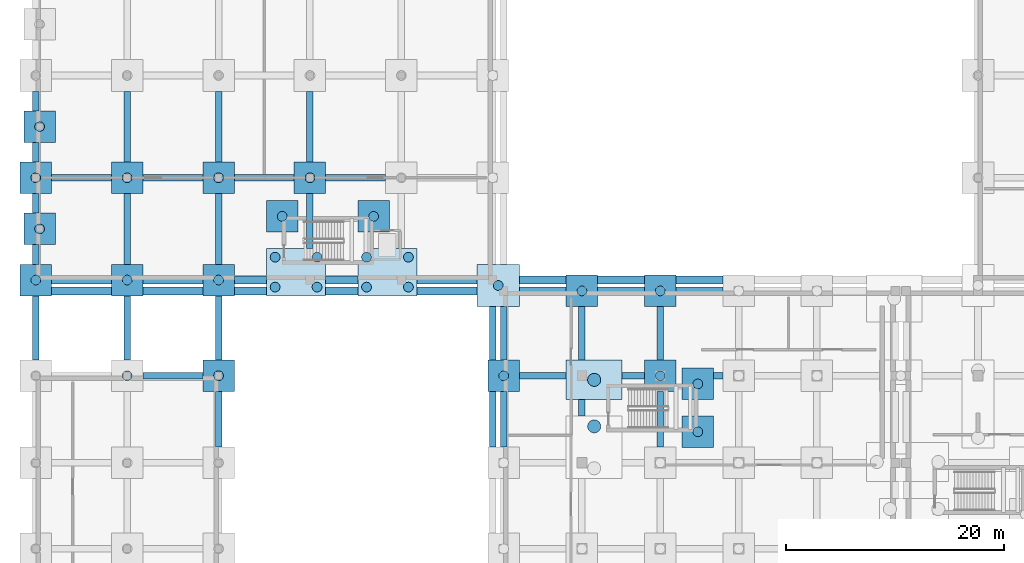
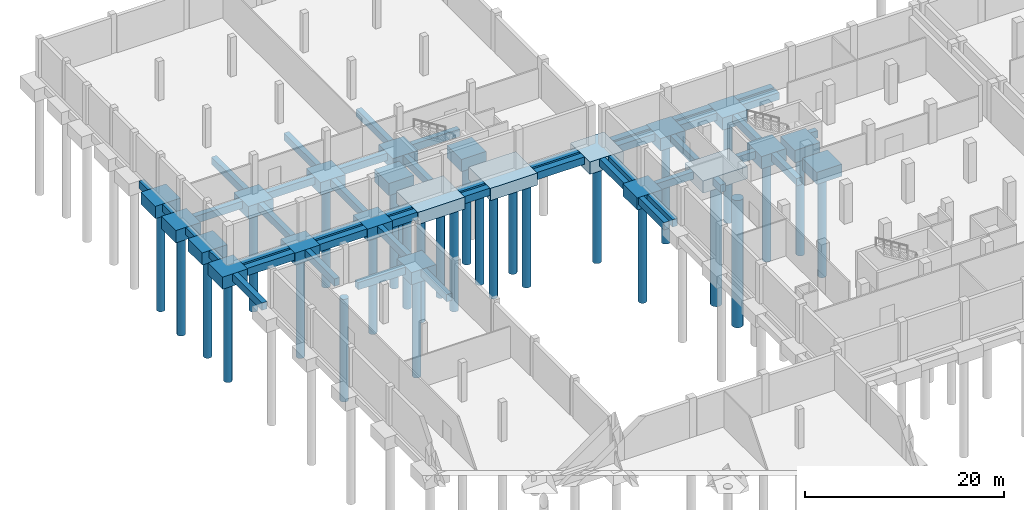
# One storey, part 7 of 29: 68 footings, 30 piles.
"""IFC4 building model written with IfcOpenShell, lengths in metres."""

from ifc_helpers import new_model, si_unit, direction, frame, origin, origin_2d, place, context, subcontext, project, spatial, polyline, rectangle, circle, outline, extrude, material, material_profile, profile_set, type_object, element, save


model = new_model("IFC4")

# Units and contexts
model_context = context("Model", 3, precision=1e-05, world=origin(), true_north=direction((0.0, 1.0)))
body_context = subcontext(model_context, "Body", "Model", "MODEL_VIEW")
ifc_project = project(units=[si_unit("LENGTHUNIT", "METRE"), si_unit("AREAUNIT", "SQUARE_METRE"), si_unit("VOLUMEUNIT", "CUBIC_METRE"), si_unit("PLANEANGLEUNIT", "RADIAN"), si_unit("MASSUNIT", "GRAM", prefix="KILO")], contexts=[model_context])

# Site, building, storey
site_placement = place(None, origin())
site = spatial("IfcSite", under=ifc_project, at=site_placement, CompositionType="ELEMENT")
building_placement = place(site_placement, origin())
building = spatial("IfcBuilding", under=site, at=building_placement, Name="Kelarvand Opera House", CompositionType="ELEMENT")
storey_placement = place(building_placement, frame((0.0, 0.0, -9.60009765625)))
storey = spatial("IfcBuildingStorey", under=building, at=storey_placement, Name="B2", CompositionType="ELEMENT", Elevation=-9.60009765625)

# Piles
ifc_material = material(Name="Concrete C40/50", Category="concrete")
ifc_material_profile_1 = material_profile(ifc_material, circle(Radius=0.60009765625, at=origin_2d()), Name="BP 1200", Category="concrete")
ifc_profile_set_1 = profile_set([ifc_material_profile_1], Name="Concrete C40/50")
pile_type_1 = type_object("IfcPileType", Name="Bored Pile 1200 Concrete C40/50", PredefinedType="BORED", material=ifc_profile_set_1)
for number, where, z_axis, x_axis, name in (
    (1, (60.324951171875, 73.75, -1.7998046875), (0.0, 0.0, -1.0), (1.0, 0.0, 0.0), "V2 Bored Pile 185"),
    (2, (60.324951171875, 78.02490234375, -1.7998046875), (0.0, 0.0, -1.0), (1.0, 0.0, 0.0), "V2 Bored Pile 198"),
):
    element("IfcPile", number, at=place(storey_placement, frame(where, z_axis=z_axis, x_axis=x_axis)), inside=storey, type_object=pile_type_1, Name=name, PredefinedType="BORED", context=body_context, shape_type="SweptSolid", body=[
        extrude(circle(Radius=0.60009765625, at=origin_2d()), origin(), (0.0, 0.0, 1.0), 15.60009765625),
    ])
ifc_material_profile_2 = material_profile(ifc_material, circle(Radius=0.449951171875, at=origin_2d()), Name="BP 900", Category="concrete")
ifc_profile_set_2 = profile_set([ifc_material_profile_2], Name="Concrete C40/50")
pile_type_2 = type_object("IfcPileType", Name="Bored Pile 900 Concrete C40/50", PredefinedType="BORED", material=ifc_profile_set_2)
for number, where, z_axis, x_axis, name in (
    (3, (69.85009765625, 73.25, -1.7998046875), (0.0, 0.0, -1.0), (1.0, 0.0, 0.0), "V2 Bored Pile 197"),
    (4, (69.85009765625, 77.64990234375, -1.7998046875), (0.0, 0.0, -1.0), (1.0, 0.0, 0.0), "V2 Bored Pile 199"),
    (5, (17.39990234375, 78.39990234375, -1.7998046875), (0.0, 0.0, -1.0), (1.0, 0.0, 0.0), "V4 Bored Pile 201"),
    (6, (25.800048828125, 78.39990234375, -1.7998046875), (0.0, 0.0, -1.0), (1.0, 0.0, 0.0), "V4 Bored Pile 202"),
    (7, (52.0, 78.39990234375, -1.7998046875), (0.0, 0.0, -1.0), (1.0, 0.0, 0.0), "V2 Bored Pile 203"),
    (8, (66.39990234375, 78.39990234375, -1.7998046875), (0.0, 0.0, -1.0), (1.0, 0.0, 0.0), "V2 Bored Pile 204"),
    (9, (51.5, 86.699951171875, -1.7998046875), (0.0, 0.0, -1.0), (1.0, 0.0, 0.0), "V2 Bored Pile 216"),
    (10, (59.199951171875, 86.199951171875, -1.7998046875), (0.0, 0.0, -1.0), (1.0, 0.0, 0.0), "V2 Bored Pile 217"),
    (11, (66.39990234375, 86.199951171875, -1.7998046875), (0.0, 0.0, -1.0), (1.0, 0.0, 0.0), "V2 Bored Pile 218"),
    (12, (9.0, 87.199951171875, -1.7998046875), (0.0, 0.0, -1.0), (1.0, 0.0, 0.0), "V3 Bored Pile 229"),
    (13, (17.39990234375, 87.199951171875, -1.7998046875), (0.0, 0.0, -1.0), (1.0, 0.0, 0.0), "V3 Bored Pile 230"),
    (14, (25.800048828125, 87.199951171875, -1.7998046875), (0.0, 0.0, -1.0), (1.0, 0.0, 0.0), "V3 Bored Pile 231"),
    (15, (31.0, 86.550048828125, -1.7998046875), (0.0, 0.0, -1.0), (1.0, 0.0, 0.0), "V3 Bored Pile 232"),
    (16, (31.0, 89.300048828125, -1.7998046875), (0.0, 0.0, -1.0), (1.0, 0.0, 0.0), "V3 Bored Pile 233"),
    (17, (34.85009765625, 86.550048828125, -1.7998046875), (0.0, 0.0, -1.0), (1.0, 0.0, 0.0), "V3 Bored Pile 234"),
    (18, (34.85009765625, 89.300048828125, -1.7998046875), (0.0, 0.0, -1.0), (1.0, 0.0, 0.0), "V3 Bored Pile 235"),
    (19, (39.39990234375, 86.550048828125, -1.7998046875), (0.0, 0.0, -1.0), (1.0, 0.0, 0.0), "V3 Bored Pile 236"),
    (20, (39.39990234375, 89.300048828125, -1.7998046875), (0.0, 0.0, -1.0), (1.0, 0.0, 0.0), "V3 Bored Pile 237"),
    (21, (43.25, 86.550048828125, -1.7998046875), (0.0, 0.0, -1.0), (1.0, 0.0, 0.0), "V3 Bored Pile 238"),
    (22, (43.25, 89.300048828125, -1.7998046875), (0.0, 0.0, -1.0), (1.0, 0.0, 0.0), "V3 Bored Pile 239"),
    (23, (9.35009765625, 91.89990234375, -1.7998046875), (0.0, 0.0, -1.0), (1.0, 0.0, 0.0), "V3 Bored Pile 241"),
    (24, (31.64990234375, 93.050048828125, -1.7998046875), (0.0, 0.0, -1.0), (1.0, 0.0, 0.0), "V3 Bored Pile 242"),
    (25, (40.050048828125, 93.050048828125, -1.7998046875), (0.0, 0.0, -1.0), (1.0, 0.0, 0.0), "V3 Bored Pile 243"),
    (26, (9.0, 96.60009765625, -1.7998046875), (0.0, 0.0, -1.0), (1.0, 0.0, 0.0), "V3 Bored Pile 246"),
    (27, (17.39990234375, 96.60009765625, -1.7998046875), (0.0, 0.0, -1.0), (1.0, 0.0, 0.0), "V3 Bored Pile 247"),
    (28, (25.800048828125, 96.60009765625, -1.7998046875), (0.0, 0.0, -1.0), (1.0, 0.0, 0.0), "V3 Bored Pile 248"),
    (29, (34.199951171875, 96.60009765625, -1.7998046875), (0.0, 0.0, -1.0), (1.0, 0.0, 0.0), "V3 Bored Pile 249"),
    (30, (9.35009765625, 101.300048828125, -1.7998046875), (0.0, 0.0, -1.0), (1.0, 0.0, 0.0), "V3 Bored Pile 259"),
):
    element("IfcPile", number, at=place(storey_placement, frame(where, z_axis=z_axis, x_axis=x_axis)), inside=storey, type_object=pile_type_2, Name=name, PredefinedType="BORED", context=body_context, shape_type="SweptSolid", body=[
        extrude(circle(Radius=0.449951171875, at=origin_2d()), origin(), (0.0, 0.0, 1.0), 12.60009765625),
    ])

# Footings
footing_type_1 = type_object("IfcFootingType", Name="Ground Tie Beam 600x900 Concrete C40/50", PredefinedType="FOOTING_BEAM", material=ifc_material)
footing_1_placement = place(storey_placement, frame((0.0, 0.0, -1.2998046875)))
element("IfcFooting", 31, at=footing_1_placement, inside=storey, type_object=footing_type_1, Name="Ground Beam 171", PredefinedType="FOOTING_BEAM", context=body_context, shape_type="SweptSolid", body=[
    extrude(outline(polyline([(18.85009765625, 78.10009765625), (24.35009765625, 78.10009765625), (24.35009765625, 78.699951171875), (18.85009765625, 78.699951171875), (18.85009765625, 78.10009765625)])), origin(), (0.0, 0.0, 1.0), 0.89990234375),
])
footing_2_placement = place(storey_placement, frame((0.0, 0.0, -1.2998046875)))
element("IfcFooting", 32, at=footing_2_placement, inside=storey, type_object=footing_type_1, Name="Ground Beam 172", PredefinedType="FOOTING_BEAM", context=body_context, shape_type="SweptSolid", body=[
    extrude(outline(polyline([(53.449951171875, 78.10009765625), (57.75, 78.10009765625), (57.75, 78.699951171875), (53.449951171875, 78.699951171875), (53.449951171875, 78.10009765625)])), origin(), (0.0, 0.0, 1.0), 0.89990234375),
])
footing_3_placement = place(storey_placement, frame((0.0, 0.0, -1.2998046875)))
element("IfcFooting", 33, at=footing_3_placement, inside=storey, type_object=footing_type_1, Name="Ground Beam 173", PredefinedType="FOOTING_BEAM", context=body_context, shape_type="SweptSolid", body=[
    extrude(outline(polyline([(62.89990234375, 78.10009765625), (64.949951171875, 78.10009765625), (64.949951171875, 78.699951171875), (62.89990234375, 78.699951171875), (62.89990234375, 78.10009765625)])), origin(), (0.0, 0.0, 1.0), 0.89990234375),
])
footing_4_placement = place(storey_placement, frame((0.0, 0.0, -1.2998046875)))
element("IfcFooting", 34, at=footing_4_placement, inside=storey, type_object=footing_type_1, Name="Ground Beam 174", PredefinedType="FOOTING_BEAM", context=body_context, shape_type="SweptSolid", body=[
    extrude(outline(polyline([(71.300048828125, 78.10009765625), (72.14990234375, 78.10009765625), (72.14990234375, 78.699951171875), (71.300048828125, 78.699951171875), (71.300048828125, 78.10009765625)])), origin(), (0.0, 0.0, 1.0), 0.89990234375),
])
footing_5_placement = place(storey_placement, frame((0.0, 0.0, -1.2998046875)))
element("IfcFooting", 35, at=footing_5_placement, inside=storey, type_object=footing_type_1, Name="Ground Beam 219", PredefinedType="FOOTING_BEAM", context=body_context, shape_type="SweptSolid", body=[
    extrude(outline(polyline([(10.449951171875, 96.300048828125), (15.949951171875, 96.300048828125), (15.949951171875, 96.89990234375), (10.449951171875, 96.89990234375), (10.449951171875, 96.300048828125)])), origin(), (0.0, 0.0, 1.0), 0.89990234375),
])
footing_6_placement = place(storey_placement, frame((0.0, 0.0, -1.2998046875)))
element("IfcFooting", 36, at=footing_6_placement, inside=storey, type_object=footing_type_1, Name="Ground Beam 220", PredefinedType="FOOTING_BEAM", context=body_context, shape_type="SweptSolid", body=[
    extrude(outline(polyline([(18.85009765625, 96.300048828125), (24.35009765625, 96.300048828125), (24.35009765625, 96.89990234375), (18.85009765625, 96.89990234375), (18.85009765625, 96.300048828125)])), origin(), (0.0, 0.0, 1.0), 0.89990234375),
])
footing_7_placement = place(storey_placement, frame((0.0, 0.0, -1.2998046875)))
element("IfcFooting", 37, at=footing_7_placement, inside=storey, type_object=footing_type_1, Name="Ground Beam 221", PredefinedType="FOOTING_BEAM", context=body_context, shape_type="SweptSolid", body=[
    extrude(outline(polyline([(27.25, 96.300048828125), (32.75, 96.300048828125), (32.75, 96.89990234375), (27.25, 96.89990234375), (27.25, 96.300048828125)])), origin(), (0.0, 0.0, 1.0), 0.89990234375),
])
footing_8_placement = place(storey_placement, frame((0.0, 0.0, -1.2998046875)))
element("IfcFooting", 38, at=footing_8_placement, inside=storey, type_object=footing_type_1, Name="Ground Beam 222", PredefinedType="FOOTING_BEAM", context=body_context, shape_type="SweptSolid", body=[
    extrude(outline(polyline([(35.64990234375, 96.300048828125), (41.14990234375, 96.300048828125), (41.14990234375, 96.89990234375), (35.64990234375, 96.89990234375), (35.64990234375, 96.300048828125)])), origin(), (0.0, 0.0, 1.0), 0.89990234375),
])
footing_9_placement = place(storey_placement, frame((0.0, 0.0, -1.2998046875)))
element("IfcFooting", 39, at=footing_9_placement, inside=storey, type_object=footing_type_1, Name="Ground Beam 268", PredefinedType="FOOTING_BEAM", context=body_context, shape_type="SweptSolid", body=[
    extrude(outline(polyline([(8.699951171875, 79.85009765625), (9.300048828125, 79.85009765625), (9.300048828125, 85.75), (8.699951171875, 85.75), (8.699951171875, 79.85009765625)])), origin(), (0.0, 0.0, 1.0), 0.89990234375),
])
footing_10_placement = place(storey_placement, frame((0.0, 0.0, -1.2998046875)))
element("IfcFooting", 40, at=footing_10_placement, inside=storey, type_object=footing_type_1, Name="Ground Beam 269", PredefinedType="FOOTING_BEAM", context=body_context, shape_type="SweptSolid", body=[
    extrude(outline(polyline([(8.699951171875, 88.64990234375), (9.300048828125, 88.64990234375), (9.300048828125, 90.449951171875), (8.699951171875, 90.449951171875), (8.699951171875, 88.64990234375)])), origin(), (0.0, 0.0, 1.0), 0.89990234375),
])
footing_11_placement = place(storey_placement, frame((0.0, 0.0, -1.2998046875)))
element("IfcFooting", 41, at=footing_11_placement, inside=storey, type_object=footing_type_1, Name="Ground Beam 270", PredefinedType="FOOTING_BEAM", context=body_context, shape_type="SweptSolid", body=[
    extrude(outline(polyline([(8.699951171875, 93.35009765625), (9.300048828125, 93.35009765625), (9.300048828125, 95.14990234375), (8.699951171875, 95.14990234375), (8.699951171875, 93.35009765625)])), origin(), (0.0, 0.0, 1.0), 0.89990234375),
])
footing_12_placement = place(storey_placement, frame((0.0, 0.0, -1.2998046875)))
element("IfcFooting", 42, at=footing_12_placement, inside=storey, type_object=footing_type_1, Name="Ground Beam 271", PredefinedType="FOOTING_BEAM", context=body_context, shape_type="SweptSolid", body=[
    extrude(outline(polyline([(8.699951171875, 98.050048828125), (9.300048828125, 98.050048828125), (9.300048828125, 99.85009765625), (8.699951171875, 99.85009765625), (8.699951171875, 98.050048828125)])), origin(), (0.0, 0.0, 1.0), 0.89990234375),
])
footing_13_placement = place(storey_placement, frame((0.0, 0.0, -1.2998046875)))
element("IfcFooting", 43, at=footing_13_placement, inside=storey, type_object=footing_type_1, Name="Ground Beam 272", PredefinedType="FOOTING_BEAM", context=body_context, shape_type="SweptSolid", body=[
    extrude(outline(polyline([(8.699951171875, 102.75), (9.300048828125, 102.75), (9.300048828125, 104.550048828125), (8.699951171875, 104.550048828125), (8.699951171875, 102.75)])), origin(), (0.0, 0.0, 1.0), 0.89990234375),
])
footing_14_placement = place(storey_placement, frame((0.0, 0.0, -1.2998046875)))
element("IfcFooting", 44, at=footing_14_placement, inside=storey, type_object=footing_type_1, Name="Ground Beam 286", PredefinedType="FOOTING_BEAM", context=body_context, shape_type="SweptSolid", body=[
    extrude(outline(polyline([(17.10009765625, 79.85009765625), (17.699951171875, 79.85009765625), (17.699951171875, 85.75), (17.10009765625, 85.75), (17.10009765625, 79.85009765625)])), origin(), (0.0, 0.0, 1.0), 0.89990234375),
])
footing_15_placement = place(storey_placement, frame((0.0, 0.0, -1.2998046875)))
element("IfcFooting", 45, at=footing_15_placement, inside=storey, type_object=footing_type_1, Name="Ground Beam 287", PredefinedType="FOOTING_BEAM", context=body_context, shape_type="SweptSolid", body=[
    extrude(outline(polyline([(17.10009765625, 88.64990234375), (17.699951171875, 88.64990234375), (17.699951171875, 95.14990234375), (17.10009765625, 95.14990234375), (17.10009765625, 88.64990234375)])), origin(), (0.0, 0.0, 1.0), 0.89990234375),
])
footing_16_placement = place(storey_placement, frame((0.0, 0.0, -1.2998046875)))
element("IfcFooting", 46, at=footing_16_placement, inside=storey, type_object=footing_type_1, Name="Ground Beam 288", PredefinedType="FOOTING_BEAM", context=body_context, shape_type="SweptSolid", body=[
    extrude(outline(polyline([(17.10009765625, 98.050048828125), (17.699951171875, 98.050048828125), (17.699951171875, 104.550048828125), (17.10009765625, 104.550048828125), (17.10009765625, 98.050048828125)])), origin(), (0.0, 0.0, 1.0), 0.89990234375),
])
footing_17_placement = place(storey_placement, frame((0.0, 0.0, -1.2998046875)))
element("IfcFooting", 47, at=footing_17_placement, inside=storey, type_object=footing_type_1, Name="Ground Beam 299", PredefinedType="FOOTING_BEAM", context=body_context, shape_type="SweptSolid", body=[
    extrude(outline(polyline([(25.5, 71.85009765625), (26.10009765625, 71.85009765625), (26.10009765625, 76.949951171875), (25.5, 76.949951171875), (25.5, 71.85009765625)])), origin(), (0.0, 0.0, 1.0), 0.89990234375),
])
footing_18_placement = place(storey_placement, frame((0.0, 0.0, -1.2998046875)))
element("IfcFooting", 48, at=footing_18_placement, inside=storey, type_object=footing_type_1, Name="Ground Beam 300", PredefinedType="FOOTING_BEAM", context=body_context, shape_type="SweptSolid", body=[
    extrude(outline(polyline([(25.5, 79.85009765625), (26.10009765625, 79.85009765625), (26.10009765625, 85.75), (25.5, 85.75), (25.5, 79.85009765625)])), origin(), (0.0, 0.0, 1.0), 0.89990234375),
])
footing_19_placement = place(storey_placement, frame((0.0, 0.0, -1.2998046875)))
element("IfcFooting", 49, at=footing_19_placement, inside=storey, type_object=footing_type_1, Name="Ground Beam 301", PredefinedType="FOOTING_BEAM", context=body_context, shape_type="SweptSolid", body=[
    extrude(outline(polyline([(25.5, 88.64990234375), (26.10009765625, 88.64990234375), (26.10009765625, 95.14990234375), (25.5, 95.14990234375), (25.5, 88.64990234375)])), origin(), (0.0, 0.0, 1.0), 0.89990234375),
])
footing_20_placement = place(storey_placement, frame((0.0, 0.0, -1.2998046875)))
element("IfcFooting", 50, at=footing_20_placement, inside=storey, type_object=footing_type_1, Name="Ground Beam 302", PredefinedType="FOOTING_BEAM", context=body_context, shape_type="SweptSolid", body=[
    extrude(outline(polyline([(25.5, 98.050048828125), (26.10009765625, 98.050048828125), (26.10009765625, 104.550048828125), (25.5, 104.550048828125), (25.5, 98.050048828125)])), origin(), (0.0, 0.0, 1.0), 0.89990234375),
])
footing_21_placement = place(storey_placement, frame((0.0, 0.0, -1.2998046875)))
element("IfcFooting", 51, at=footing_21_placement, inside=storey, type_object=footing_type_1, Name="Ground Beam 309", PredefinedType="FOOTING_BEAM", context=body_context, shape_type="SweptSolid", body=[
    extrude(outline(polyline([(33.89990234375, 90.10009765625), (34.5, 90.10009765625), (34.5, 95.14990234375), (33.89990234375, 95.14990234375), (33.89990234375, 90.10009765625)])), origin(), (0.0, 0.0, 1.0), 0.89990234375),
])
footing_22_placement = place(storey_placement, frame((0.0, 0.0, -1.2998046875)))
element("IfcFooting", 52, at=footing_22_placement, inside=storey, type_object=footing_type_1, Name="Ground Beam 310", PredefinedType="FOOTING_BEAM", context=body_context, shape_type="SweptSolid", body=[
    extrude(outline(polyline([(33.89990234375, 98.050048828125), (34.5, 98.050048828125), (34.5, 104.550048828125), (33.89990234375, 104.550048828125), (33.89990234375, 98.050048828125)])), origin(), (0.0, 0.0, 1.0), 0.89990234375),
])
footing_23_placement = place(storey_placement, frame((0.0, 0.0, -1.2998046875)))
element("IfcFooting", 53, at=footing_23_placement, inside=storey, type_object=footing_type_1, Name="Ground Beam 329", PredefinedType="FOOTING_BEAM", context=body_context, shape_type="SweptSolid", body=[
    extrude(outline(polyline([(50.699951171875, 71.85009765625), (51.300048828125, 71.85009765625), (51.300048828125, 76.949951171875), (50.699951171875, 76.949951171875), (50.699951171875, 71.85009765625)])), origin(), (0.0, 0.0, 1.0), 0.89990234375),
])
footing_24_placement = place(storey_placement, frame((0.0, 0.0, -1.2998046875)))
element("IfcFooting", 54, at=footing_24_placement, inside=storey, type_object=footing_type_1, Name="Ground Beam 330", PredefinedType="FOOTING_BEAM", context=body_context, shape_type="SweptSolid", body=[
    extrude(outline(polyline([(50.699951171875, 79.85009765625), (51.300048828125, 79.85009765625), (51.300048828125, 84.75), (50.699951171875, 84.75), (50.699951171875, 79.85009765625)])), origin(), (0.0, 0.0, 1.0), 0.89990234375),
])
footing_25_placement = place(storey_placement, frame((0.0, 0.0, -1.2998046875)))
element("IfcFooting", 55, at=footing_25_placement, inside=storey, type_object=footing_type_1, Name="Ground Beam 343", PredefinedType="FOOTING_BEAM", context=body_context, shape_type="SweptSolid", body=[
    extrude(outline(polyline([(51.699951171875, 71.85009765625), (52.300048828125, 71.85009765625), (52.300048828125, 76.949951171875), (51.699951171875, 76.949951171875), (51.699951171875, 71.85009765625)])), origin(), (0.0, 0.0, 1.0), 0.89990234375),
])
footing_26_placement = place(storey_placement, frame((0.0, 0.0, -1.2998046875)))
element("IfcFooting", 56, at=footing_26_placement, inside=storey, type_object=footing_type_1, Name="Ground Beam 344", PredefinedType="FOOTING_BEAM", context=body_context, shape_type="SweptSolid", body=[
    extrude(outline(polyline([(51.699951171875, 79.85009765625), (52.300048828125, 79.85009765625), (52.300048828125, 84.75), (51.699951171875, 84.75), (51.699951171875, 79.85009765625)])), origin(), (0.0, 0.0, 1.0), 0.89990234375),
])
footing_27_placement = place(storey_placement, frame((0.0, 0.0, -1.2998046875)))
element("IfcFooting", 57, at=footing_27_placement, inside=storey, type_object=footing_type_1, Name="Ground Beam 353", PredefinedType="FOOTING_BEAM", context=body_context, shape_type="SweptSolid", body=[
    extrude(outline(polyline([(58.89990234375, 74.699951171875), (59.5, 74.699951171875), (59.5, 76.199951171875), (58.89990234375, 76.199951171875), (58.89990234375, 74.699951171875)])), origin(), (0.0, 0.0, 1.0), 0.89990234375),
])
footing_28_placement = place(storey_placement, frame((0.0, 0.0, -1.2998046875)))
element("IfcFooting", 58, at=footing_28_placement, inside=storey, type_object=footing_type_1, Name="Ground Beam 354", PredefinedType="FOOTING_BEAM", context=body_context, shape_type="SweptSolid", body=[
    extrude(outline(polyline([(58.89990234375, 79.85009765625), (59.5, 79.85009765625), (59.5, 84.75), (58.89990234375, 84.75), (58.89990234375, 79.85009765625)])), origin(), (0.0, 0.0, 1.0), 0.89990234375),
])
footing_29_placement = place(storey_placement, frame((0.0, 0.0, -1.2998046875)))
element("IfcFooting", 59, at=footing_29_placement, inside=storey, type_object=footing_type_1, Name="Ground Beam 359", PredefinedType="FOOTING_BEAM", context=body_context, shape_type="SweptSolid", body=[
    extrude(outline(polyline([(66.10009765625, 71.85009765625), (66.699951171875, 71.85009765625), (66.699951171875, 76.949951171875), (66.10009765625, 76.949951171875), (66.10009765625, 71.85009765625)])), origin(), (0.0, 0.0, 1.0), 0.89990234375),
])
footing_30_placement = place(storey_placement, frame((0.0, 0.0, -1.2998046875)))
element("IfcFooting", 60, at=footing_30_placement, inside=storey, type_object=footing_type_1, Name="Ground Beam 360", PredefinedType="FOOTING_BEAM", context=body_context, shape_type="SweptSolid", body=[
    extrude(outline(polyline([(66.10009765625, 79.85009765625), (66.699951171875, 79.85009765625), (66.699951171875, 84.75), (66.10009765625, 84.75), (66.10009765625, 79.85009765625)])), origin(), (0.0, 0.0, 1.0), 0.89990234375),
])
footing_type_2 = type_object("IfcFootingType", Name="Perimeter Strip Footing 750x900 Concrete C40/50", PredefinedType="STRIP_FOOTING", material=ifc_material)
footing_31_placement = place(storey_placement, frame((0.0, 0.0, -1.2998046875)))
element("IfcFooting", 61, at=footing_31_placement, inside=storey, type_object=footing_type_2, Name="Ground Beam 185", PredefinedType="STRIP_FOOTING", context=body_context, shape_type="SweptSolid", body=[
    extrude(outline(polyline([(10.449951171875, 85.824951171875), (15.949951171875, 85.824951171875), (15.949951171875, 86.574951171875), (10.449951171875, 86.574951171875), (10.449951171875, 85.824951171875)])), origin(), (0.0, 0.0, 1.0), 0.89990234375),
])
footing_32_placement = place(storey_placement, frame((0.0, 0.0, -1.2998046875)))
element("IfcFooting", 62, at=footing_32_placement, inside=storey, type_object=footing_type_2, Name="Ground Beam 186", PredefinedType="STRIP_FOOTING", context=body_context, shape_type="SweptSolid", body=[
    extrude(outline(polyline([(18.85009765625, 85.824951171875), (24.35009765625, 85.824951171875), (24.35009765625, 86.574951171875), (18.85009765625, 86.574951171875), (18.85009765625, 85.824951171875)])), origin(), (0.0, 0.0, 1.0), 0.89990234375),
])
footing_33_placement = place(storey_placement, frame((0.0, 0.0, -1.2998046875)))
element("IfcFooting", 63, at=footing_33_placement, inside=storey, type_object=footing_type_2, Name="Ground Beam 187", PredefinedType="STRIP_FOOTING", context=body_context, shape_type="SweptSolid", body=[
    extrude(outline(polyline([(27.25, 85.824951171875), (30.199951171875, 85.824951171875), (30.199951171875, 86.574951171875), (27.25, 86.574951171875), (27.25, 85.824951171875)])), origin(), (0.0, 0.0, 1.0), 0.89990234375),
])
footing_34_placement = place(storey_placement, frame((0.0, 0.0, -1.2998046875)))
element("IfcFooting", 64, at=footing_34_placement, inside=storey, type_object=footing_type_2, Name="Ground Beam 188", PredefinedType="STRIP_FOOTING", context=body_context, shape_type="SweptSolid", body=[
    extrude(outline(polyline([(35.64990234375, 85.824951171875), (38.60009765625, 85.824951171875), (38.60009765625, 86.574951171875), (35.64990234375, 86.574951171875), (35.64990234375, 85.824951171875)])), origin(), (0.0, 0.0, 1.0), 0.89990234375),
])
footing_35_placement = place(storey_placement, frame((0.0, 0.0, -1.2998046875)))
element("IfcFooting", 65, at=footing_35_placement, inside=storey, type_object=footing_type_2, Name="Ground Beam 189", PredefinedType="STRIP_FOOTING", context=body_context, shape_type="SweptSolid", body=[
    extrude(outline(polyline([(44.050048828125, 85.824951171875), (49.550048828125, 85.824951171875), (49.550048828125, 86.574951171875), (44.050048828125, 86.574951171875), (44.050048828125, 85.824951171875)])), origin(), (0.0, 0.0, 1.0), 0.89990234375),
])
footing_36_placement = place(storey_placement, frame((0.0, 0.0, -1.2998046875)))
element("IfcFooting", 66, at=footing_36_placement, inside=storey, type_object=footing_type_2, Name="Ground Beam 190", PredefinedType="STRIP_FOOTING", context=body_context, shape_type="SweptSolid", body=[
    extrude(outline(polyline([(53.449951171875, 85.824951171875), (57.75, 85.824951171875), (57.75, 86.574951171875), (53.449951171875, 86.574951171875), (53.449951171875, 85.824951171875)])), origin(), (0.0, 0.0, 1.0), 0.89990234375),
])
footing_37_placement = place(storey_placement, frame((0.0, 0.0, -1.2998046875)))
element("IfcFooting", 67, at=footing_37_placement, inside=storey, type_object=footing_type_2, Name="Ground Beam 191", PredefinedType="STRIP_FOOTING", context=body_context, shape_type="SweptSolid", body=[
    extrude(outline(polyline([(60.64990234375, 85.824951171875), (64.949951171875, 85.824951171875), (64.949951171875, 86.574951171875), (60.64990234375, 86.574951171875), (60.64990234375, 85.824951171875)])), origin(), (0.0, 0.0, 1.0), 0.89990234375),
])
footing_38_placement = place(storey_placement, frame((0.0, 0.0, -1.2998046875)))
element("IfcFooting", 68, at=footing_38_placement, inside=storey, type_object=footing_type_2, Name="Ground Beam 192", PredefinedType="STRIP_FOOTING", context=body_context, shape_type="SweptSolid", body=[
    extrude(outline(polyline([(67.85009765625, 85.824951171875), (72.14990234375, 85.824951171875), (72.14990234375, 86.574951171875), (67.85009765625, 86.574951171875), (67.85009765625, 85.824951171875)])), origin(), (0.0, 0.0, 1.0), 0.89990234375),
])
footing_39_placement = place(storey_placement, frame((0.0, 0.0, -1.2998046875)))
element("IfcFooting", 69, at=footing_39_placement, inside=storey, type_object=footing_type_2, Name="Ground Beam 202", PredefinedType="STRIP_FOOTING", context=body_context, shape_type="SweptSolid", body=[
    extrude(outline(polyline([(10.449951171875, 86.824951171875), (15.949951171875, 86.824951171875), (15.949951171875, 87.574951171875), (10.449951171875, 87.574951171875), (10.449951171875, 86.824951171875)])), origin(), (0.0, 0.0, 1.0), 0.89990234375),
])
footing_40_placement = place(storey_placement, frame((0.0, 0.0, -1.2998046875)))
element("IfcFooting", 70, at=footing_40_placement, inside=storey, type_object=footing_type_2, Name="Ground Beam 203", PredefinedType="STRIP_FOOTING", context=body_context, shape_type="SweptSolid", body=[
    extrude(outline(polyline([(18.85009765625, 86.824951171875), (24.35009765625, 86.824951171875), (24.35009765625, 87.574951171875), (18.85009765625, 87.574951171875), (18.85009765625, 86.824951171875)])), origin(), (0.0, 0.0, 1.0), 0.89990234375),
])
footing_41_placement = place(storey_placement, frame((0.0, 0.0, -1.2998046875)))
element("IfcFooting", 71, at=footing_41_placement, inside=storey, type_object=footing_type_2, Name="Ground Beam 204", PredefinedType="STRIP_FOOTING", context=body_context, shape_type="SweptSolid", body=[
    extrude(outline(polyline([(27.25, 86.824951171875), (30.199951171875, 86.824951171875), (30.199951171875, 87.574951171875), (27.25, 87.574951171875), (27.25, 86.824951171875)])), origin(), (0.0, 0.0, 1.0), 0.89990234375),
])
footing_42_placement = place(storey_placement, frame((0.0, 0.0, -1.2998046875)))
element("IfcFooting", 72, at=footing_42_placement, inside=storey, type_object=footing_type_2, Name="Ground Beam 205", PredefinedType="STRIP_FOOTING", context=body_context, shape_type="SweptSolid", body=[
    extrude(outline(polyline([(35.64990234375, 86.824951171875), (38.60009765625, 86.824951171875), (38.60009765625, 87.574951171875), (35.64990234375, 87.574951171875), (35.64990234375, 86.824951171875)])), origin(), (0.0, 0.0, 1.0), 0.89990234375),
])
footing_43_placement = place(storey_placement, frame((0.0, 0.0, -1.2998046875)))
element("IfcFooting", 73, at=footing_43_placement, inside=storey, type_object=footing_type_2, Name="Ground Beam 206", PredefinedType="STRIP_FOOTING", context=body_context, shape_type="SweptSolid", body=[
    extrude(outline(polyline([(44.050048828125, 86.824951171875), (49.550048828125, 86.824951171875), (49.550048828125, 87.574951171875), (44.050048828125, 87.574951171875), (44.050048828125, 86.824951171875)])), origin(), (0.0, 0.0, 1.0), 0.89990234375),
])
footing_44_placement = place(storey_placement, frame((0.0, 0.0, -1.2998046875)))
element("IfcFooting", 74, at=footing_44_placement, inside=storey, type_object=footing_type_2, Name="Ground Beam 207", PredefinedType="STRIP_FOOTING", context=body_context, shape_type="SweptSolid", body=[
    extrude(outline(polyline([(53.449951171875, 86.824951171875), (57.75, 86.824951171875), (57.75, 87.574951171875), (53.449951171875, 87.574951171875), (53.449951171875, 86.824951171875)])), origin(), (0.0, 0.0, 1.0), 0.89990234375),
])
footing_45_placement = place(storey_placement, frame((0.0, 0.0, -1.2998046875)))
element("IfcFooting", 75, at=footing_45_placement, inside=storey, type_object=footing_type_2, Name="Ground Beam 208", PredefinedType="STRIP_FOOTING", context=body_context, shape_type="SweptSolid", body=[
    extrude(outline(polyline([(60.64990234375, 86.824951171875), (64.949951171875, 86.824951171875), (64.949951171875, 87.574951171875), (60.64990234375, 87.574951171875), (60.64990234375, 86.824951171875)])), origin(), (0.0, 0.0, 1.0), 0.89990234375),
])
footing_46_placement = place(storey_placement, frame((0.0, 0.0, -1.2998046875)))
element("IfcFooting", 76, at=footing_46_placement, inside=storey, type_object=footing_type_2, Name="Ground Beam 209", PredefinedType="STRIP_FOOTING", context=body_context, shape_type="SweptSolid", body=[
    extrude(outline(polyline([(67.85009765625, 86.824951171875), (72.14990234375, 86.824951171875), (72.14990234375, 87.574951171875), (67.85009765625, 87.574951171875), (67.85009765625, 86.824951171875)])), origin(), (0.0, 0.0, 1.0), 0.89990234375),
])
footing_type_3 = type_object("IfcFootingType", Name="Pile Cap 2900x2900x1500 PC-01", PredefinedType="PILE_CAP", material=ifc_material)
for number, where, z_axis, x_axis, name in (
    (77, (69.85009765625, 73.25, -1.89990234375), (0.0, 0.0, 1.0), (1.0, 0.0, 0.0), "V2 Pile Cap PC-01 (180)"),
    (78, (69.85009765625, 77.64990234375, -1.89990234375), (0.0, 0.0, 1.0), (1.0, 0.0, 0.0), "V2 Pile Cap PC-01 (182)"),
    (79, (25.800048828125, 78.39990234375, -1.89990234375), (0.0, 0.0, 1.0), (1.0, 0.0, 0.0), "V4 Pile Cap PC-01 (185)"),
    (80, (52.0, 78.39990234375, -1.89990234375), (0.0, 0.0, 1.0), (1.0, 0.0, 0.0), "V2 Pile Cap PC-01 (186)"),
    (81, (66.39990234375, 78.39990234375, -1.89990234375), (0.0, 0.0, 1.0), (1.0, 0.0, 0.0), "V2 Pile Cap PC-01 (187)"),
    (82, (59.199951171875, 86.199951171875, -1.89990234375), (0.0, 0.0, 1.0), (1.0, 0.0, 0.0), "V2 Pile Cap PC-01 (200)"),
    (83, (66.39990234375, 86.199951171875, -1.89990234375), (0.0, 0.0, 1.0), (1.0, 0.0, 0.0), "V2 Pile Cap PC-01 (201)"),
    (84, (9.0, 87.199951171875, -1.89990234375), (0.0, 0.0, 1.0), (1.0, 0.0, 0.0), "V3 Pile Cap PC-01 (210)"),
    (85, (17.39990234375, 87.199951171875, -1.89990234375), (0.0, 0.0, 1.0), (1.0, 0.0, 0.0), "V3 Pile Cap PC-01 (211)"),
    (86, (25.800048828125, 87.199951171875, -1.89990234375), (0.0, 0.0, 1.0), (1.0, 0.0, 0.0), "V3 Pile Cap PC-01 (212)"),
    (87, (9.35009765625, 91.89990234375, -1.89990234375), (0.0, 0.0, 1.0), (1.0, 0.0, 0.0), "V3 Pile Cap PC-01 (216)"),
    (88, (31.64990234375, 93.050048828125, -1.89990234375), (0.0, 0.0, 1.0), (1.0, 0.0, 0.0), "V3 Pile Cap PC-01 (217)"),
    (89, (40.050048828125, 93.050048828125, -1.89990234375), (0.0, 0.0, 1.0), (1.0, 0.0, 0.0), "V3 Pile Cap PC-01 (218)"),
    (90, (9.0, 96.60009765625, -1.89990234375), (0.0, 0.0, 1.0), (1.0, 0.0, 0.0), "V3 Pile Cap PC-01 (221)"),
    (91, (17.39990234375, 96.60009765625, -1.89990234375), (0.0, 0.0, 1.0), (1.0, 0.0, 0.0), "V3 Pile Cap PC-01 (222)"),
    (92, (25.800048828125, 96.60009765625, -1.89990234375), (0.0, 0.0, 1.0), (1.0, 0.0, 0.0), "V3 Pile Cap PC-01 (223)"),
    (93, (34.199951171875, 96.60009765625, -1.89990234375), (0.0, 0.0, 1.0), (1.0, 0.0, 0.0), "V3 Pile Cap PC-01 (224)"),
    (94, (9.35009765625, 101.300048828125, -1.89990234375), (0.0, 0.0, 1.0), (1.0, 0.0, 0.0), "V3 Pile Cap PC-01 (234)"),
):
    element("IfcFooting", number, at=place(storey_placement, frame(where, z_axis=z_axis, x_axis=x_axis)), inside=storey, type_object=footing_type_3, Name=name, PredefinedType="PILE_CAP", context=body_context, shape_type="SweptSolid", body=[
        extrude(rectangle(XDim=2.89990234375, YDim=2.89990234375, at=origin_2d()), origin(), (0.0, 0.0, 1.0), 1.5),
    ])
footing_type_4 = type_object("IfcFootingType", Name="Pile Cap 3900x3900x1500 PC-11", PredefinedType="PILE_CAP", material=ifc_material)
footing_47_placement = place(storey_placement, frame((51.5, 86.699951171875, -1.89990234375), z_axis=(0.0, 0.0, 1.0), x_axis=(1.0, 0.0, 0.0)))
element("IfcFooting", 95, at=footing_47_placement, inside=storey, type_object=footing_type_4, Name="V2 Pile Cap PC-11 (199)", PredefinedType="PILE_CAP", context=body_context, shape_type="SweptSolid", body=[
    extrude(rectangle(XDim=3.89990234375, YDim=3.89990234375, at=origin_2d()), origin(), (0.0, 0.0, 1.0), 1.5),
])
footing_type_5 = type_object("IfcFootingType", Name="Pile Cap 5150x3650x1500 PC-24", PredefinedType="PILE_CAP", material=ifc_material)
footing_48_placement = place(storey_placement, frame((60.324951171875, 78.02490234375, -1.89990234375), z_axis=(0.0, 0.0, 1.0), x_axis=(1.0, 0.0, 0.0)))
element("IfcFooting", 96, at=footing_48_placement, inside=storey, type_object=footing_type_5, Name="V2 Pile Cap PC-24 (181)", PredefinedType="PILE_CAP", context=body_context, shape_type="SweptSolid", body=[
    extrude(rectangle(XDim=5.14990234375, YDim=3.64990234375, at=origin_2d()), origin(), (0.0, 0.0, 1.0), 1.5),
])
footing_type_6 = type_object("IfcFootingType", Name="Pile Cap 5450x4350x1500 PC-28", PredefinedType="PILE_CAP", material=ifc_material)
for number, where, z_axis, x_axis, name in (
    (97, (32.925048828125, 87.925048828125, -1.89990234375), (0.0, 0.0, 1.0), (1.0, 0.0, 0.0), "V3 Pile Cap PC-28 (213)"),
    (98, (41.324951171875, 87.925048828125, -1.89990234375), (0.0, 0.0, 1.0), (1.0, 0.0, 0.0), "V3 Pile Cap PC-28 (214)"),
):
    element("IfcFooting", number, at=place(storey_placement, frame(where, z_axis=z_axis, x_axis=x_axis)), inside=storey, type_object=footing_type_6, Name=name, PredefinedType="PILE_CAP", context=body_context, shape_type="SweptSolid", body=[
        extrude(rectangle(XDim=5.449951171875, YDim=4.35009765625, at=origin_2d()), origin(), (0.0, 0.0, 1.0), 1.5),
    ])

save(model, "model.ifc")
